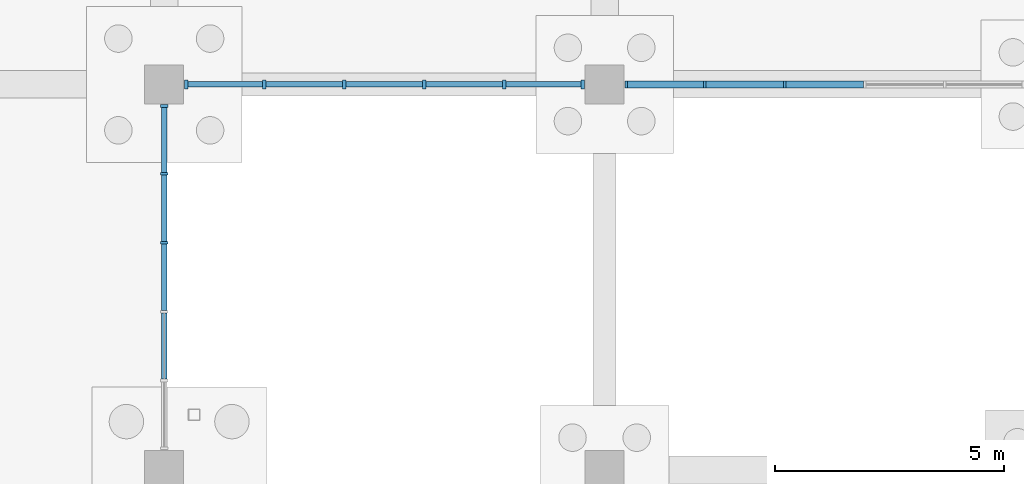
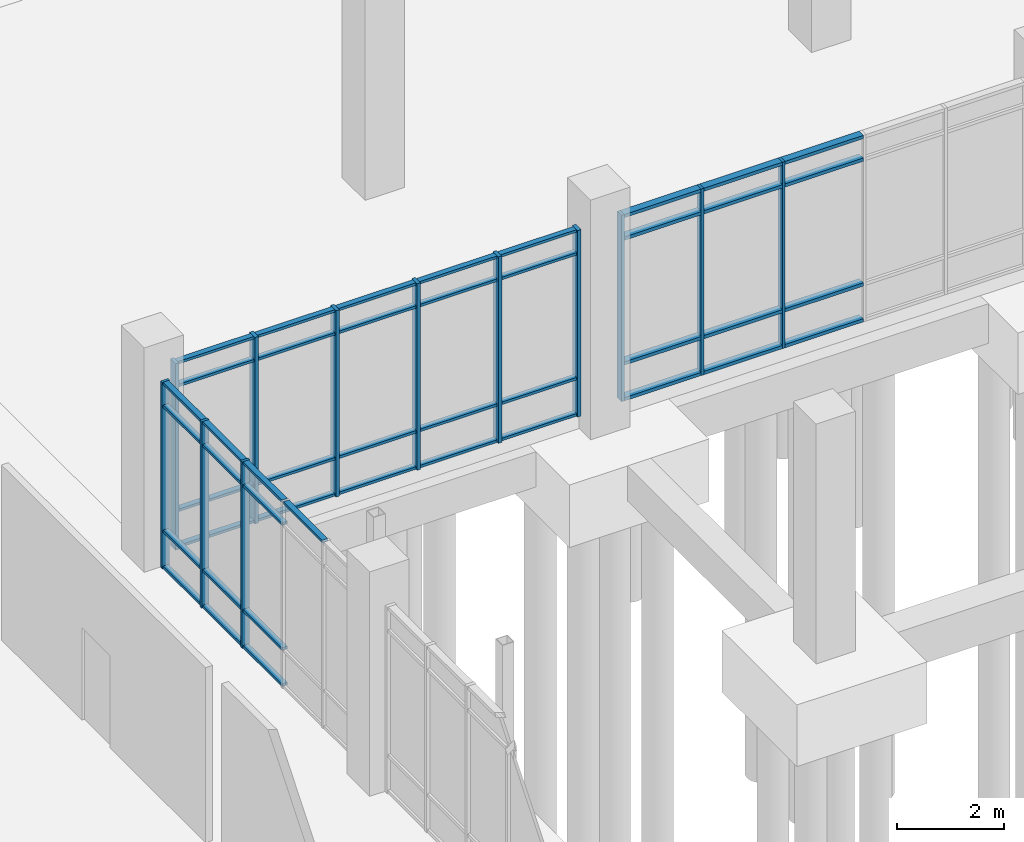
# One storey, part 53 of 136: 57 members, 3 elements without a shape of their own.
"""IFC4 building model written with IfcOpenShell, lengths in metres."""

from ifc_helpers import new_model, si_unit, direction, frame, origin, origin_2d, place, context, subcontext, project, spatial, rectangle, extrude, material, material_profile, profile_set, type_object, element, aggregate, save


model = new_model("IFC4")

# Units and contexts
model_context = context("Model", 3, precision=1e-05, world=origin(), true_north=direction((0.0, 1.0)))
body_context = subcontext(model_context, "Body", "Model", "MODEL_VIEW")
ifc_project = project(units=[si_unit("LENGTHUNIT", "METRE"), si_unit("AREAUNIT", "SQUARE_METRE"), si_unit("VOLUMEUNIT", "CUBIC_METRE"), si_unit("PLANEANGLEUNIT", "RADIAN"), si_unit("MASSUNIT", "GRAM", prefix="KILO")], contexts=[model_context])

# Site, building, storey
site_placement = place(None, origin())
site = spatial("IfcSite", under=ifc_project, at=site_placement, CompositionType="ELEMENT")
building_placement = place(site_placement, origin())
building = spatial("IfcBuilding", under=site, at=building_placement, Name="Oolite Switchyard Hospital", CompositionType="ELEMENT")
storey_placement = place(building_placement, origin())
storey = spatial("IfcBuildingStorey", under=building, at=storey_placement, Name="L00", CompositionType="ELEMENT", Elevation=0.0)

# Curtain wall, members
ifc_material_1 = material(Name="Thermally broken aluminum frame with laminated impact glazing", Category="aluminium")
curtain_wall_type_1 = type_object("IfcCurtainWallType", Name="CW-UNIT-96X51", PredefinedType="USERDEFINED", material=ifc_material_1)
curtain_wall_1_placement = place(storey_placement, origin())
curtain_wall_1 = element("IfcCurtainWall", 1, at=curtain_wall_1_placement, inside=storey, type_object=curtain_wall_type_1, Name="L00 Unitised Curtain Wall 21", ObjectType="UNITISED", PredefinedType="USERDEFINED")
ifc_material_2 = material(Name="Aluminium 6063-T6", Category="aluminium")
ifc_material_profile_1 = material_profile(ifc_material_2, rectangle(XDim=0.159912109375, YDim=0.06005859375, at=origin_2d()), Name="CWM60X160")
ifc_profile_set_1 = profile_set([ifc_material_profile_1], Name="Aluminium 6063-T6")
member_type_1 = type_object("IfcMemberType", Name="CW-MUL-180", PredefinedType="MULLION", material=ifc_profile_set_1)
member_1_placement = place(storey_placement, frame((157.528076171875, 58.800048828125, 0.0), z_axis=(0.0, 0.0, 1.0), x_axis=(0.0, -1.0, 0.0)))
member_1 = element("IfcMember", 2, at=member_1_placement, type_object=member_type_1, Name="CW-01 mullion 4", PredefinedType="MULLION", context=body_context, shape_type="SweptSolid", body=[
    extrude(rectangle(XDim=0.159912109375, YDim=0.06005859375, at=origin_2d()), origin(), (0.0, 0.0, 1.0), 4.239990234375),
])
member_2_placement = place(storey_placement, frame((155.783935546875, 58.800048828125, 0.0), z_axis=(0.0, 0.0, 1.0), x_axis=(0.0, -1.0, 0.0)))
member_2 = element("IfcMember", 3, at=member_2_placement, type_object=member_type_1, Name="CW-01 mullion 5", PredefinedType="MULLION", context=body_context, shape_type="SweptSolid", body=[
    extrude(rectangle(XDim=0.159912109375, YDim=0.06005859375, at=origin_2d()), origin(), (0.0, 0.0, 1.0), 4.239990234375),
])
member_3_placement = place(storey_placement, frame((154.070068359375, 58.800048828125, 0.0), z_axis=(0.0, 0.0, 1.0), x_axis=(0.0, -1.0, 0.0)))
member_3 = element("IfcMember", 4, at=member_3_placement, type_object=member_type_1, Name="CW-01 mullion 6", PredefinedType="MULLION", context=body_context, shape_type="SweptSolid", body=[
    extrude(rectangle(XDim=0.159912109375, YDim=0.06005859375, at=origin_2d()), origin(), (0.0, 0.0, 1.0), 4.239990234375),
])

curtain_wall_type_2 = type_object("IfcCurtainWallType", Name="CW-UNIT-84X51", PredefinedType="USERDEFINED", material=ifc_material_1)
curtain_wall_2_placement = place(storey_placement, origin())
curtain_wall_2 = element("IfcCurtainWall", 5, at=curtain_wall_2_placement, inside=storey, type_object=curtain_wall_type_2, Name="L00 Unitised Curtain Wall 78", ObjectType="UNITISED", PredefinedType="USERDEFINED")
member_4_placement = place(storey_placement, frame((144.0, 58.330078125, 0.0), z_axis=(0.0, 0.0, 1.0), x_axis=(1.0, 0.0, 0.0)))
member_4 = element("IfcMember", 6, at=member_4_placement, type_object=member_type_1, Name="CW-06 mullion 1", PredefinedType="MULLION", context=body_context, shape_type="SweptSolid", body=[
    extrude(rectangle(XDim=0.159912109375, YDim=0.06005859375, at=origin_2d()), origin(), (0.0, 0.0, 1.0), 4.239990234375),
])
member_5_placement = place(storey_placement, frame((144.0, 56.85595703125, 0.0), z_axis=(0.0, 0.0, 1.0), x_axis=(1.0, 0.0, 0.0)))
member_5 = element("IfcMember", 7, at=member_5_placement, type_object=member_type_1, Name="CW-06 mullion 2", PredefinedType="MULLION", context=body_context, shape_type="SweptSolid", body=[
    extrude(rectangle(XDim=0.159912109375, YDim=0.06005859375, at=origin_2d()), origin(), (0.0, 0.0, 1.0), 4.239990234375),
])
member_6_placement = place(storey_placement, frame((144.0, 55.35205078125, 0.0), z_axis=(0.0, 0.0, 1.0), x_axis=(1.0, 0.0, 0.0)))
member_6 = element("IfcMember", 8, at=member_6_placement, type_object=member_type_1, Name="CW-06 mullion 3", PredefinedType="MULLION", context=body_context, shape_type="SweptSolid", body=[
    extrude(rectangle(XDim=0.159912109375, YDim=0.06005859375, at=origin_2d()), origin(), (0.0, 0.0, 1.0), 4.239990234375),
])

curtain_wall_3_placement = place(storey_placement, origin())
curtain_wall_3 = element("IfcCurtainWall", 9, at=curtain_wall_3_placement, inside=storey, type_object=curtain_wall_type_1, Name="L00 Unitised Curtain Wall 20", ObjectType="UNITISED", PredefinedType="USERDEFINED")
ifc_material_profile_2 = material_profile(ifc_material_2, rectangle(XDim=0.199951171875, YDim=0.074951171875, at=origin_2d()), Name="CWM75X200")
ifc_profile_set_2 = profile_set([ifc_material_profile_2], Name="Aluminium 6063-T6")
member_type_2 = type_object("IfcMemberType", Name="CW-MUL-260", PredefinedType="MULLION", material=ifc_profile_set_2)
member_7_placement = place(storey_placement, frame((153.12255859375, 58.800048828125, 0.0), z_axis=(0.0, 0.0, 1.0), x_axis=(0.0, -1.0, 0.0)))
member_7 = element("IfcMember", 10, at=member_7_placement, type_object=member_type_2, Name="CW-01 mullion 1", PredefinedType="MULLION", context=body_context, shape_type="SweptSolid", body=[
    extrude(rectangle(XDim=0.199951171875, YDim=0.074951171875, at=origin_2d()), origin(), (0.0, 0.0, 1.0), 4.239990234375),
])
member_8_placement = place(storey_placement, frame((151.416015625, 58.800048828125, 0.0), z_axis=(0.0, 0.0, 1.0), x_axis=(0.0, -1.0, 0.0)))
member_8 = element("IfcMember", 11, at=member_8_placement, type_object=member_type_2, Name="CW-01 mullion 2", PredefinedType="MULLION", context=body_context, shape_type="SweptSolid", body=[
    extrude(rectangle(XDim=0.199951171875, YDim=0.074951171875, at=origin_2d()), origin(), (0.0, 0.0, 1.0), 4.239990234375),
])
member_9_placement = place(storey_placement, frame((149.672119140625, 58.800048828125, 0.0), z_axis=(0.0, 0.0, 1.0), x_axis=(0.0, -1.0, 0.0)))
member_9 = element("IfcMember", 12, at=member_9_placement, type_object=member_type_2, Name="CW-01 mullion 3", PredefinedType="MULLION", context=body_context, shape_type="SweptSolid", body=[
    extrude(rectangle(XDim=0.199951171875, YDim=0.074951171875, at=origin_2d()), origin(), (0.0, 0.0, 1.0), 4.239990234375),
])
member_10_placement = place(storey_placement, frame((147.927978515625, 58.800048828125, 0.0), z_axis=(0.0, 0.0, 1.0), x_axis=(0.0, -1.0, 0.0)))
member_10 = element("IfcMember", 13, at=member_10_placement, type_object=member_type_2, Name="CW-01 mullion 4", PredefinedType="MULLION", context=body_context, shape_type="SweptSolid", body=[
    extrude(rectangle(XDim=0.199951171875, YDim=0.074951171875, at=origin_2d()), origin(), (0.0, 0.0, 1.0), 4.239990234375),
])
member_11_placement = place(storey_placement, frame((146.18408203125, 58.800048828125, 0.0), z_axis=(0.0, 0.0, 1.0), x_axis=(0.0, -1.0, 0.0)))
member_11 = element("IfcMember", 14, at=member_11_placement, type_object=member_type_2, Name="CW-01 mullion 5", PredefinedType="MULLION", context=body_context, shape_type="SweptSolid", body=[
    extrude(rectangle(XDim=0.199951171875, YDim=0.074951171875, at=origin_2d()), origin(), (0.0, 0.0, 1.0), 4.239990234375),
])
member_12_placement = place(storey_placement, frame((144.4775390625, 58.800048828125, 0.0), z_axis=(0.0, 0.0, 1.0), x_axis=(0.0, -1.0, 0.0)))
member_12 = element("IfcMember", 15, at=member_12_placement, type_object=member_type_2, Name="CW-01 mullion 6", PredefinedType="MULLION", context=body_context, shape_type="SweptSolid", body=[
    extrude(rectangle(XDim=0.199951171875, YDim=0.074951171875, at=origin_2d()), origin(), (0.0, 0.0, 1.0), 4.239990234375),
])
ifc_material_profile_3 = material_profile(ifc_material_2, rectangle(XDim=0.1201171875, YDim=0.06005859375, at=origin_2d()), Name="CWT60X120")
ifc_profile_set_3 = profile_set([ifc_material_profile_3], Name="Aluminium 6063-T6")
member_type_3 = type_object("IfcMemberType", Name="CW-TRN-150", PredefinedType="USERDEFINED", material=ifc_profile_set_3)
member_13_placement = place(storey_placement, frame((153.0849609375, 58.800048828125, 0.030029296875), z_axis=(-1.0, 0.0, 0.0), x_axis=(0.0, -1.0, 0.0)))
member_13 = element("IfcMember", 16, at=member_13_placement, type_object=member_type_3, Name="CW-01 transom 1.1", ObjectType="TRANSOM", PredefinedType="USERDEFINED", context=body_context, shape_type="SweptSolid", body=[
    extrude(rectangle(XDim=0.1201171875, YDim=0.06005859375, at=origin_2d()), origin(), (0.0, 0.0, 1.0), 1.63134765625),
])
member_14_placement = place(storey_placement, frame((153.0849609375, 58.800048828125, 0.85009765625), z_axis=(-1.0, 0.0, 0.0), x_axis=(0.0, -1.0, 0.0)))
member_14 = element("IfcMember", 17, at=member_14_placement, type_object=member_type_3, Name="CW-01 transom 1.2", ObjectType="TRANSOM", PredefinedType="USERDEFINED", context=body_context, shape_type="SweptSolid", body=[
    extrude(rectangle(XDim=0.1201171875, YDim=0.06005859375, at=origin_2d()), origin(), (0.0, 0.0, 1.0), 1.63134765625),
])
member_15_placement = place(storey_placement, frame((153.0849609375, 58.800048828125, 3.68994140625), z_axis=(-1.0, 0.0, 0.0), x_axis=(0.0, -1.0, 0.0)))
member_15 = element("IfcMember", 18, at=member_15_placement, type_object=member_type_3, Name="CW-01 transom 1.3", ObjectType="TRANSOM", PredefinedType="USERDEFINED", context=body_context, shape_type="SweptSolid", body=[
    extrude(rectangle(XDim=0.1201171875, YDim=0.06005859375, at=origin_2d()), origin(), (0.0, 0.0, 1.0), 1.63134765625),
])
member_16_placement = place(storey_placement, frame((153.0849609375, 58.800048828125, 4.2099609375), z_axis=(-1.0, 0.0, 0.0), x_axis=(0.0, -1.0, 0.0)))
member_16 = element("IfcMember", 19, at=member_16_placement, type_object=member_type_3, Name="CW-01 transom 1.4", ObjectType="TRANSOM", PredefinedType="USERDEFINED", context=body_context, shape_type="SweptSolid", body=[
    extrude(rectangle(XDim=0.1201171875, YDim=0.06005859375, at=origin_2d()), origin(), (0.0, 0.0, 1.0), 1.63134765625),
])
member_17_placement = place(storey_placement, frame((151.37841796875, 58.800048828125, 0.030029296875), z_axis=(-1.0, 0.0, 0.0), x_axis=(0.0, -1.0, 0.0)))
member_17 = element("IfcMember", 20, at=member_17_placement, type_object=member_type_3, Name="CW-01 transom 2.1", ObjectType="TRANSOM", PredefinedType="USERDEFINED", context=body_context, shape_type="SweptSolid", body=[
    extrude(rectangle(XDim=0.1201171875, YDim=0.06005859375, at=origin_2d()), origin(), (0.0, 0.0, 1.0), 1.6689453125),
])
member_18_placement = place(storey_placement, frame((151.37841796875, 58.800048828125, 0.85009765625), z_axis=(-1.0, 0.0, 0.0), x_axis=(0.0, -1.0, 0.0)))
member_18 = element("IfcMember", 21, at=member_18_placement, type_object=member_type_3, Name="CW-01 transom 2.2", ObjectType="TRANSOM", PredefinedType="USERDEFINED", context=body_context, shape_type="SweptSolid", body=[
    extrude(rectangle(XDim=0.1201171875, YDim=0.06005859375, at=origin_2d()), origin(), (0.0, 0.0, 1.0), 1.6689453125),
])
member_19_placement = place(storey_placement, frame((151.37841796875, 58.800048828125, 3.68994140625), z_axis=(-1.0, 0.0, 0.0), x_axis=(0.0, -1.0, 0.0)))
member_19 = element("IfcMember", 22, at=member_19_placement, type_object=member_type_3, Name="CW-01 transom 2.3", ObjectType="TRANSOM", PredefinedType="USERDEFINED", context=body_context, shape_type="SweptSolid", body=[
    extrude(rectangle(XDim=0.1201171875, YDim=0.06005859375, at=origin_2d()), origin(), (0.0, 0.0, 1.0), 1.6689453125),
])
member_20_placement = place(storey_placement, frame((151.37841796875, 58.800048828125, 4.2099609375), z_axis=(-1.0, 0.0, 0.0), x_axis=(0.0, -1.0, 0.0)))
member_20 = element("IfcMember", 23, at=member_20_placement, type_object=member_type_3, Name="CW-01 transom 2.4", ObjectType="TRANSOM", PredefinedType="USERDEFINED", context=body_context, shape_type="SweptSolid", body=[
    extrude(rectangle(XDim=0.1201171875, YDim=0.06005859375, at=origin_2d()), origin(), (0.0, 0.0, 1.0), 1.6689453125),
])
member_21_placement = place(storey_placement, frame((149.634521484375, 58.800048828125, 0.030029296875), z_axis=(-1.0, 0.0, 0.0), x_axis=(0.0, -1.0, 0.0)))
member_21 = element("IfcMember", 24, at=member_21_placement, type_object=member_type_3, Name="CW-01 transom 3.1", ObjectType="TRANSOM", PredefinedType="USERDEFINED", context=body_context, shape_type="SweptSolid", body=[
    extrude(rectangle(XDim=0.1201171875, YDim=0.06005859375, at=origin_2d()), origin(), (0.0, 0.0, 1.0), 1.6689453125),
])
member_22_placement = place(storey_placement, frame((149.634521484375, 58.800048828125, 0.85009765625), z_axis=(-1.0, 0.0, 0.0), x_axis=(0.0, -1.0, 0.0)))
member_22 = element("IfcMember", 25, at=member_22_placement, type_object=member_type_3, Name="CW-01 transom 3.2", ObjectType="TRANSOM", PredefinedType="USERDEFINED", context=body_context, shape_type="SweptSolid", body=[
    extrude(rectangle(XDim=0.1201171875, YDim=0.06005859375, at=origin_2d()), origin(), (0.0, 0.0, 1.0), 1.6689453125),
])
member_23_placement = place(storey_placement, frame((149.634521484375, 58.800048828125, 3.68994140625), z_axis=(-1.0, 0.0, 0.0), x_axis=(0.0, -1.0, 0.0)))
member_23 = element("IfcMember", 26, at=member_23_placement, type_object=member_type_3, Name="CW-01 transom 3.3", ObjectType="TRANSOM", PredefinedType="USERDEFINED", context=body_context, shape_type="SweptSolid", body=[
    extrude(rectangle(XDim=0.1201171875, YDim=0.06005859375, at=origin_2d()), origin(), (0.0, 0.0, 1.0), 1.6689453125),
])
member_24_placement = place(storey_placement, frame((149.634521484375, 58.800048828125, 4.2099609375), z_axis=(-1.0, 0.0, 0.0), x_axis=(0.0, -1.0, 0.0)))
member_24 = element("IfcMember", 27, at=member_24_placement, type_object=member_type_3, Name="CW-01 transom 3.4", ObjectType="TRANSOM", PredefinedType="USERDEFINED", context=body_context, shape_type="SweptSolid", body=[
    extrude(rectangle(XDim=0.1201171875, YDim=0.06005859375, at=origin_2d()), origin(), (0.0, 0.0, 1.0), 1.6689453125),
])
member_25_placement = place(storey_placement, frame((147.890380859375, 58.800048828125, 0.030029296875), z_axis=(-1.0, 0.0, 0.0), x_axis=(0.0, -1.0, 0.0)))
member_25 = element("IfcMember", 28, at=member_25_placement, type_object=member_type_3, Name="CW-01 transom 4.1", ObjectType="TRANSOM", PredefinedType="USERDEFINED", context=body_context, shape_type="SweptSolid", body=[
    extrude(rectangle(XDim=0.1201171875, YDim=0.06005859375, at=origin_2d()), origin(), (0.0, 0.0, 1.0), 1.6689453125),
])
member_26_placement = place(storey_placement, frame((147.890380859375, 58.800048828125, 0.85009765625), z_axis=(-1.0, 0.0, 0.0), x_axis=(0.0, -1.0, 0.0)))
member_26 = element("IfcMember", 29, at=member_26_placement, type_object=member_type_3, Name="CW-01 transom 4.2", ObjectType="TRANSOM", PredefinedType="USERDEFINED", context=body_context, shape_type="SweptSolid", body=[
    extrude(rectangle(XDim=0.1201171875, YDim=0.06005859375, at=origin_2d()), origin(), (0.0, 0.0, 1.0), 1.6689453125),
])
member_27_placement = place(storey_placement, frame((147.890380859375, 58.800048828125, 3.68994140625), z_axis=(-1.0, 0.0, 0.0), x_axis=(0.0, -1.0, 0.0)))
member_27 = element("IfcMember", 30, at=member_27_placement, type_object=member_type_3, Name="CW-01 transom 4.3", ObjectType="TRANSOM", PredefinedType="USERDEFINED", context=body_context, shape_type="SweptSolid", body=[
    extrude(rectangle(XDim=0.1201171875, YDim=0.06005859375, at=origin_2d()), origin(), (0.0, 0.0, 1.0), 1.6689453125),
])
member_28_placement = place(storey_placement, frame((147.890380859375, 58.800048828125, 4.2099609375), z_axis=(-1.0, 0.0, 0.0), x_axis=(0.0, -1.0, 0.0)))
member_28 = element("IfcMember", 31, at=member_28_placement, type_object=member_type_3, Name="CW-01 transom 4.4", ObjectType="TRANSOM", PredefinedType="USERDEFINED", context=body_context, shape_type="SweptSolid", body=[
    extrude(rectangle(XDim=0.1201171875, YDim=0.06005859375, at=origin_2d()), origin(), (0.0, 0.0, 1.0), 1.6689453125),
])
member_29_placement = place(storey_placement, frame((146.146484375, 58.800048828125, 0.030029296875), z_axis=(-1.0, 0.0, 0.0), x_axis=(0.0, -1.0, 0.0)))
member_29 = element("IfcMember", 32, at=member_29_placement, type_object=member_type_3, Name="CW-01 transom 5.1", ObjectType="TRANSOM", PredefinedType="USERDEFINED", context=body_context, shape_type="SweptSolid", body=[
    extrude(rectangle(XDim=0.1201171875, YDim=0.06005859375, at=origin_2d()), origin(), (0.0, 0.0, 1.0), 1.631591796875),
])
member_30_placement = place(storey_placement, frame((146.146484375, 58.800048828125, 0.85009765625), z_axis=(-1.0, 0.0, 0.0), x_axis=(0.0, -1.0, 0.0)))
member_30 = element("IfcMember", 33, at=member_30_placement, type_object=member_type_3, Name="CW-01 transom 5.2", ObjectType="TRANSOM", PredefinedType="USERDEFINED", context=body_context, shape_type="SweptSolid", body=[
    extrude(rectangle(XDim=0.1201171875, YDim=0.06005859375, at=origin_2d()), origin(), (0.0, 0.0, 1.0), 1.631591796875),
])
member_31_placement = place(storey_placement, frame((146.146484375, 58.800048828125, 3.68994140625), z_axis=(-1.0, 0.0, 0.0), x_axis=(0.0, -1.0, 0.0)))
member_31 = element("IfcMember", 34, at=member_31_placement, type_object=member_type_3, Name="CW-01 transom 5.3", ObjectType="TRANSOM", PredefinedType="USERDEFINED", context=body_context, shape_type="SweptSolid", body=[
    extrude(rectangle(XDim=0.1201171875, YDim=0.06005859375, at=origin_2d()), origin(), (0.0, 0.0, 1.0), 1.631591796875),
])
member_32_placement = place(storey_placement, frame((146.146484375, 58.800048828125, 4.2099609375), z_axis=(-1.0, 0.0, 0.0), x_axis=(0.0, -1.0, 0.0)))
member_32 = element("IfcMember", 35, at=member_32_placement, type_object=member_type_3, Name="CW-01 transom 5.4", ObjectType="TRANSOM", PredefinedType="USERDEFINED", context=body_context, shape_type="SweptSolid", body=[
    extrude(rectangle(XDim=0.1201171875, YDim=0.06005859375, at=origin_2d()), origin(), (0.0, 0.0, 1.0), 1.631591796875),
])
aggregate(curtain_wall_3, [member_7, member_8, member_9, member_10, member_11, member_12, member_13, member_14, member_15, member_16, member_17, member_18, member_19, member_20, member_21, member_22, member_23, member_24, member_25, member_26, member_27, member_28, member_29, member_30, member_31, member_32])

# Member
member_33_placement = place(storey_placement, frame((144.0, 58.300048828125, 0.030029296875), z_axis=(0.0, -1.0, 0.0), x_axis=(1.0, 0.0, 0.0)))
member_33 = element("IfcMember", 36, at=member_33_placement, type_object=member_type_3, Name="CW-06 transom 1.1", ObjectType="TRANSOM", PredefinedType="USERDEFINED", context=body_context, shape_type="SweptSolid", body=[
    extrude(rectangle(XDim=0.1201171875, YDim=0.06005859375, at=origin_2d()), origin(), (0.0, 0.0, 1.0), 1.4140625),
])

member_34_placement = place(storey_placement, frame((144.0, 58.300048828125, 0.85009765625), z_axis=(0.0, -1.0, 0.0), x_axis=(1.0, 0.0, 0.0)))
member_34 = element("IfcMember", 37, at=member_34_placement, type_object=member_type_3, Name="CW-06 transom 1.2", ObjectType="TRANSOM", PredefinedType="USERDEFINED", context=body_context, shape_type="SweptSolid", body=[
    extrude(rectangle(XDim=0.1201171875, YDim=0.06005859375, at=origin_2d()), origin(), (0.0, 0.0, 1.0), 1.4140625),
])

member_35_placement = place(storey_placement, frame((144.0, 58.300048828125, 3.68994140625), z_axis=(0.0, -1.0, 0.0), x_axis=(1.0, 0.0, 0.0)))
member_35 = element("IfcMember", 38, at=member_35_placement, type_object=member_type_3, Name="CW-06 transom 1.3", ObjectType="TRANSOM", PredefinedType="USERDEFINED", context=body_context, shape_type="SweptSolid", body=[
    extrude(rectangle(XDim=0.1201171875, YDim=0.06005859375, at=origin_2d()), origin(), (0.0, 0.0, 1.0), 1.4140625),
])

member_36_placement = place(storey_placement, frame((144.0, 58.300048828125, 4.2099609375), z_axis=(0.0, -1.0, 0.0), x_axis=(1.0, 0.0, 0.0)))
member_36 = element("IfcMember", 39, at=member_36_placement, type_object=member_type_3, Name="CW-06 transom 1.4", ObjectType="TRANSOM", PredefinedType="USERDEFINED", context=body_context, shape_type="SweptSolid", body=[
    extrude(rectangle(XDim=0.1201171875, YDim=0.06005859375, at=origin_2d()), origin(), (0.0, 0.0, 1.0), 1.4140625),
])

member_37_placement = place(storey_placement, frame((144.0, 56.825927734375, 0.030029296875), z_axis=(0.0, -1.0, 0.0), x_axis=(1.0, 0.0, 0.0)))
member_37 = element("IfcMember", 40, at=member_37_placement, type_object=member_type_3, Name="CW-06 transom 2.1", ObjectType="TRANSOM", PredefinedType="USERDEFINED", context=body_context, shape_type="SweptSolid", body=[
    extrude(rectangle(XDim=0.1201171875, YDim=0.06005859375, at=origin_2d()), origin(), (0.0, 0.0, 1.0), 1.44384765625),
])

member_38_placement = place(storey_placement, frame((144.0, 56.825927734375, 0.85009765625), z_axis=(0.0, -1.0, 0.0), x_axis=(1.0, 0.0, 0.0)))
member_38 = element("IfcMember", 41, at=member_38_placement, type_object=member_type_3, Name="CW-06 transom 2.2", ObjectType="TRANSOM", PredefinedType="USERDEFINED", context=body_context, shape_type="SweptSolid", body=[
    extrude(rectangle(XDim=0.1201171875, YDim=0.06005859375, at=origin_2d()), origin(), (0.0, 0.0, 1.0), 1.44384765625),
])

member_39_placement = place(storey_placement, frame((144.0, 56.825927734375, 3.68994140625), z_axis=(0.0, -1.0, 0.0), x_axis=(1.0, 0.0, 0.0)))
member_39 = element("IfcMember", 42, at=member_39_placement, type_object=member_type_3, Name="CW-06 transom 2.3", ObjectType="TRANSOM", PredefinedType="USERDEFINED", context=body_context, shape_type="SweptSolid", body=[
    extrude(rectangle(XDim=0.1201171875, YDim=0.06005859375, at=origin_2d()), origin(), (0.0, 0.0, 1.0), 1.44384765625),
])

member_40_placement = place(storey_placement, frame((144.0, 56.825927734375, 4.2099609375), z_axis=(0.0, -1.0, 0.0), x_axis=(1.0, 0.0, 0.0)))
member_40 = element("IfcMember", 43, at=member_40_placement, type_object=member_type_3, Name="CW-06 transom 2.4", ObjectType="TRANSOM", PredefinedType="USERDEFINED", context=body_context, shape_type="SweptSolid", body=[
    extrude(rectangle(XDim=0.1201171875, YDim=0.06005859375, at=origin_2d()), origin(), (0.0, 0.0, 1.0), 1.44384765625),
])

member_41_placement = place(storey_placement, frame((144.0, 55.322021484375, 0.030029296875), z_axis=(0.0, -1.0, 0.0), x_axis=(1.0, 0.0, 0.0)))
member_41 = element("IfcMember", 44, at=member_41_placement, type_object=member_type_3, Name="CW-06 transom 3.1", ObjectType="TRANSOM", PredefinedType="USERDEFINED", context=body_context, shape_type="SweptSolid", body=[
    extrude(rectangle(XDim=0.1201171875, YDim=0.06005859375, at=origin_2d()), origin(), (0.0, 0.0, 1.0), 1.444091796875),
])

member_42_placement = place(storey_placement, frame((144.0, 55.322021484375, 0.85009765625), z_axis=(0.0, -1.0, 0.0), x_axis=(1.0, 0.0, 0.0)))
member_42 = element("IfcMember", 45, at=member_42_placement, type_object=member_type_3, Name="CW-06 transom 3.2", ObjectType="TRANSOM", PredefinedType="USERDEFINED", context=body_context, shape_type="SweptSolid", body=[
    extrude(rectangle(XDim=0.1201171875, YDim=0.06005859375, at=origin_2d()), origin(), (0.0, 0.0, 1.0), 1.444091796875),
])

member_43_placement = place(storey_placement, frame((144.0, 55.322021484375, 3.68994140625), z_axis=(0.0, -1.0, 0.0), x_axis=(1.0, 0.0, 0.0)))
member_43 = element("IfcMember", 46, at=member_43_placement, type_object=member_type_3, Name="CW-06 transom 3.3", ObjectType="TRANSOM", PredefinedType="USERDEFINED", context=body_context, shape_type="SweptSolid", body=[
    extrude(rectangle(XDim=0.1201171875, YDim=0.06005859375, at=origin_2d()), origin(), (0.0, 0.0, 1.0), 1.444091796875),
])

member_44_placement = place(storey_placement, frame((144.0, 55.322021484375, 4.2099609375), z_axis=(0.0, -1.0, 0.0), x_axis=(1.0, 0.0, 0.0)))
member_44 = element("IfcMember", 47, at=member_44_placement, type_object=member_type_3, Name="CW-06 transom 3.4", ObjectType="TRANSOM", PredefinedType="USERDEFINED", context=body_context, shape_type="SweptSolid", body=[
    extrude(rectangle(XDim=0.1201171875, YDim=0.06005859375, at=origin_2d()), origin(), (0.0, 0.0, 1.0), 1.444091796875),
])

member_45_placement = place(storey_placement, frame((144.0, 53.818115234375, 4.2099609375), z_axis=(0.0, -1.0, 0.0), x_axis=(1.0, 0.0, 0.0)))
member_45 = element("IfcMember", 48, at=member_45_placement, type_object=member_type_3, Name="CW-06 transom 4.4", ObjectType="TRANSOM", PredefinedType="USERDEFINED", context=body_context, shape_type="SweptSolid", body=[
    extrude(rectangle(XDim=0.1201171875, YDim=0.06005859375, at=origin_2d()), origin(), (0.0, 0.0, 1.0), 1.444091796875),
])

aggregate(curtain_wall_2, [member_4, member_5, member_6, member_33, member_34, member_35, member_36, member_37, member_38, member_39, member_40, member_41, member_42, member_43, member_44, member_45])

ifc_material_profile_4 = material_profile(ifc_material_2, rectangle(XDim=0.159912109375, YDim=0.074951171875, at=origin_2d()), Name="CWT75X160")
ifc_profile_set_4 = profile_set([ifc_material_profile_4], Name="Aluminium 6063-T6")
member_type_4 = type_object("IfcMemberType", Name="CW-TRN-180", PredefinedType="USERDEFINED", material=ifc_profile_set_4)
member_46_placement = place(storey_placement, frame((159.241943359375, 58.800048828125, 0.03759765625), z_axis=(-1.0, 0.0, 0.0), x_axis=(0.0, -1.0, 0.0)))
member_46 = element("IfcMember", 49, at=member_46_placement, type_object=member_type_4, Name="CW-01 transom 3.1", ObjectType="TRANSOM", PredefinedType="USERDEFINED", context=body_context, shape_type="SweptSolid", body=[
    extrude(rectangle(XDim=0.159912109375, YDim=0.074951171875, at=origin_2d()), origin(), (0.0, 0.0, 1.0), 1.683837890625),
])

member_47_placement = place(storey_placement, frame((159.241943359375, 58.800048828125, 0.85009765625), z_axis=(-1.0, 0.0, 0.0), x_axis=(0.0, -1.0, 0.0)))
member_47 = element("IfcMember", 50, at=member_47_placement, type_object=member_type_4, Name="CW-01 transom 3.2", ObjectType="TRANSOM", PredefinedType="USERDEFINED", context=body_context, shape_type="SweptSolid", body=[
    extrude(rectangle(XDim=0.159912109375, YDim=0.074951171875, at=origin_2d()), origin(), (0.0, 0.0, 1.0), 1.683837890625),
])

member_48_placement = place(storey_placement, frame((159.241943359375, 58.800048828125, 3.68994140625), z_axis=(-1.0, 0.0, 0.0), x_axis=(0.0, -1.0, 0.0)))
member_48 = element("IfcMember", 51, at=member_48_placement, type_object=member_type_4, Name="CW-01 transom 3.3", ObjectType="TRANSOM", PredefinedType="USERDEFINED", context=body_context, shape_type="SweptSolid", body=[
    extrude(rectangle(XDim=0.159912109375, YDim=0.074951171875, at=origin_2d()), origin(), (0.0, 0.0, 1.0), 1.683837890625),
])

member_49_placement = place(storey_placement, frame((159.241943359375, 58.800048828125, 4.202392578125), z_axis=(-1.0, 0.0, 0.0), x_axis=(0.0, -1.0, 0.0)))
member_49 = element("IfcMember", 52, at=member_49_placement, type_object=member_type_4, Name="CW-01 transom 3.4", ObjectType="TRANSOM", PredefinedType="USERDEFINED", context=body_context, shape_type="SweptSolid", body=[
    extrude(rectangle(XDim=0.159912109375, YDim=0.074951171875, at=origin_2d()), origin(), (0.0, 0.0, 1.0), 1.683837890625),
])

member_50_placement = place(storey_placement, frame((157.498046875, 58.800048828125, 0.03759765625), z_axis=(-1.0, 0.0, 0.0), x_axis=(0.0, -1.0, 0.0)))
member_50 = element("IfcMember", 53, at=member_50_placement, type_object=member_type_4, Name="CW-01 transom 4.1", ObjectType="TRANSOM", PredefinedType="USERDEFINED", context=body_context, shape_type="SweptSolid", body=[
    extrude(rectangle(XDim=0.159912109375, YDim=0.074951171875, at=origin_2d()), origin(), (0.0, 0.0, 1.0), 1.68408203125),
])

member_51_placement = place(storey_placement, frame((157.498046875, 58.800048828125, 0.85009765625), z_axis=(-1.0, 0.0, 0.0), x_axis=(0.0, -1.0, 0.0)))
member_51 = element("IfcMember", 54, at=member_51_placement, type_object=member_type_4, Name="CW-01 transom 4.2", ObjectType="TRANSOM", PredefinedType="USERDEFINED", context=body_context, shape_type="SweptSolid", body=[
    extrude(rectangle(XDim=0.159912109375, YDim=0.074951171875, at=origin_2d()), origin(), (0.0, 0.0, 1.0), 1.68408203125),
])

member_52_placement = place(storey_placement, frame((157.498046875, 58.800048828125, 3.68994140625), z_axis=(-1.0, 0.0, 0.0), x_axis=(0.0, -1.0, 0.0)))
member_52 = element("IfcMember", 55, at=member_52_placement, type_object=member_type_4, Name="CW-01 transom 4.3", ObjectType="TRANSOM", PredefinedType="USERDEFINED", context=body_context, shape_type="SweptSolid", body=[
    extrude(rectangle(XDim=0.159912109375, YDim=0.074951171875, at=origin_2d()), origin(), (0.0, 0.0, 1.0), 1.68408203125),
])

member_53_placement = place(storey_placement, frame((157.498046875, 58.800048828125, 4.202392578125), z_axis=(-1.0, 0.0, 0.0), x_axis=(0.0, -1.0, 0.0)))
member_53 = element("IfcMember", 56, at=member_53_placement, type_object=member_type_4, Name="CW-01 transom 4.4", ObjectType="TRANSOM", PredefinedType="USERDEFINED", context=body_context, shape_type="SweptSolid", body=[
    extrude(rectangle(XDim=0.159912109375, YDim=0.074951171875, at=origin_2d()), origin(), (0.0, 0.0, 1.0), 1.68408203125),
])

member_54_placement = place(storey_placement, frame((155.75390625, 58.800048828125, 0.03759765625), z_axis=(-1.0, 0.0, 0.0), x_axis=(0.0, -1.0, 0.0)))
member_54 = element("IfcMember", 57, at=member_54_placement, type_object=member_type_4, Name="CW-01 transom 5.1", ObjectType="TRANSOM", PredefinedType="USERDEFINED", context=body_context, shape_type="SweptSolid", body=[
    extrude(rectangle(XDim=0.159912109375, YDim=0.074951171875, at=origin_2d()), origin(), (0.0, 0.0, 1.0), 1.65380859375),
])

member_55_placement = place(storey_placement, frame((155.75390625, 58.800048828125, 0.85009765625), z_axis=(-1.0, 0.0, 0.0), x_axis=(0.0, -1.0, 0.0)))
member_55 = element("IfcMember", 58, at=member_55_placement, type_object=member_type_4, Name="CW-01 transom 5.2", ObjectType="TRANSOM", PredefinedType="USERDEFINED", context=body_context, shape_type="SweptSolid", body=[
    extrude(rectangle(XDim=0.159912109375, YDim=0.074951171875, at=origin_2d()), origin(), (0.0, 0.0, 1.0), 1.65380859375),
])

member_56_placement = place(storey_placement, frame((155.75390625, 58.800048828125, 3.68994140625), z_axis=(-1.0, 0.0, 0.0), x_axis=(0.0, -1.0, 0.0)))
member_56 = element("IfcMember", 59, at=member_56_placement, type_object=member_type_4, Name="CW-01 transom 5.3", ObjectType="TRANSOM", PredefinedType="USERDEFINED", context=body_context, shape_type="SweptSolid", body=[
    extrude(rectangle(XDim=0.159912109375, YDim=0.074951171875, at=origin_2d()), origin(), (0.0, 0.0, 1.0), 1.65380859375),
])

member_57_placement = place(storey_placement, frame((155.75390625, 58.800048828125, 4.202392578125), z_axis=(-1.0, 0.0, 0.0), x_axis=(0.0, -1.0, 0.0)))
member_57 = element("IfcMember", 60, at=member_57_placement, type_object=member_type_4, Name="CW-01 transom 5.4", ObjectType="TRANSOM", PredefinedType="USERDEFINED", context=body_context, shape_type="SweptSolid", body=[
    extrude(rectangle(XDim=0.159912109375, YDim=0.074951171875, at=origin_2d()), origin(), (0.0, 0.0, 1.0), 1.65380859375),
])

aggregate(curtain_wall_1, [member_1, member_2, member_3, member_46, member_47, member_48, member_49, member_50, member_51, member_52, member_53, member_54, member_55, member_56, member_57])

save(model, "model.ifc")
